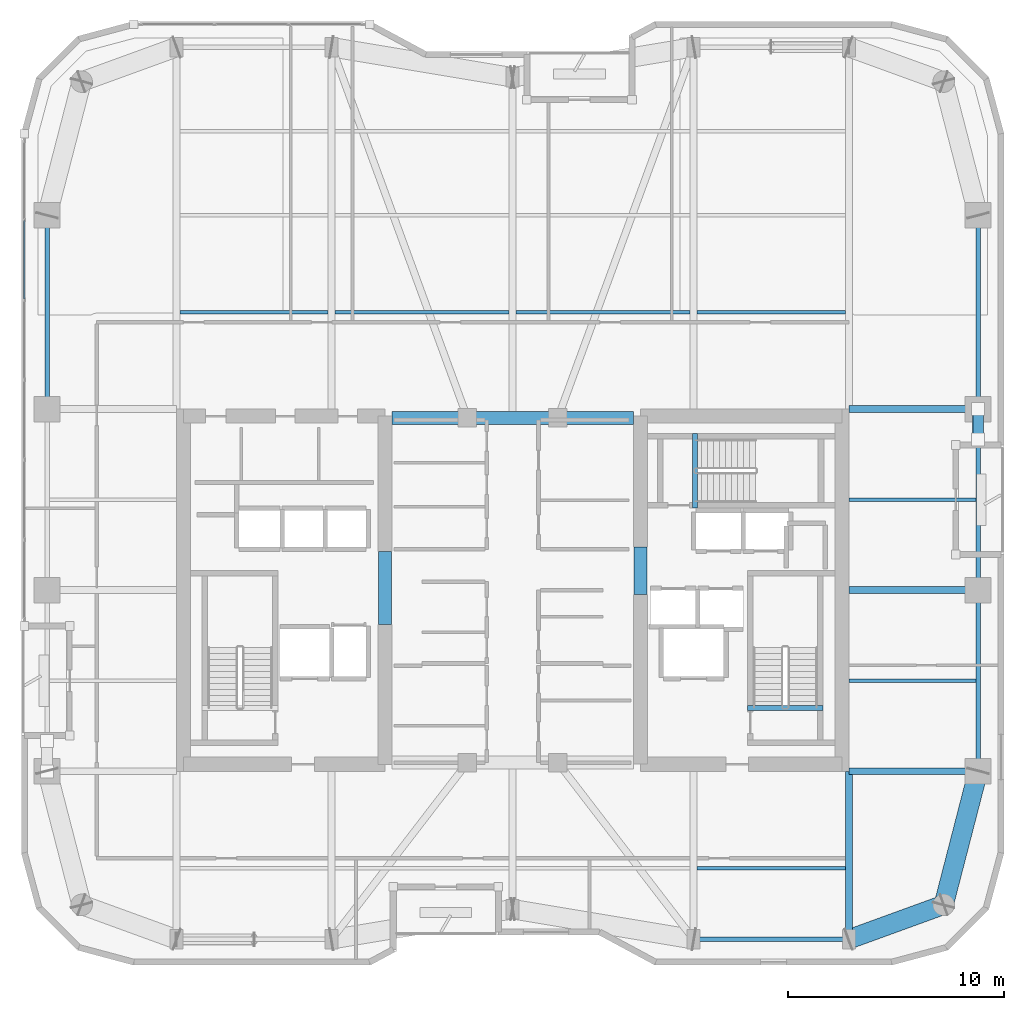
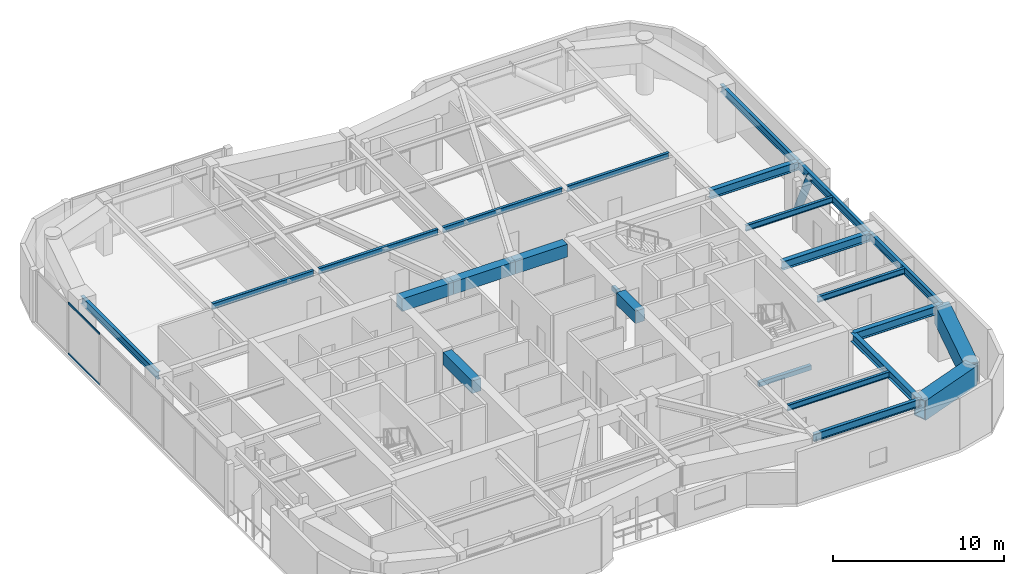
# One storey, part 5 of 21: 25 beams, 3 members, 1 element without a shape of its own.
"""IFC4 building model written with IfcOpenShell, lengths in metres."""

from ifc_helpers import new_model, si_unit, direction, frame, origin, origin_2d, place, context, subcontext, project, spatial, rectangle, hollow_rectangle, hollow_circle, i_section, extrude, material, layer, layer_set, material_profile, profile_set, type_object, element, aggregate, save


model = new_model("IFC4")

# Units and contexts
model_context = context("Model", 3, precision=1e-05, world=origin(), true_north=direction((0.0, 1.0)))
body_context = subcontext(model_context, "Body", "Model", "MODEL_VIEW")
ifc_project = project(units=[si_unit("LENGTHUNIT", "METRE"), si_unit("AREAUNIT", "SQUARE_METRE"), si_unit("VOLUMEUNIT", "CUBIC_METRE"), si_unit("PLANEANGLEUNIT", "RADIAN"), si_unit("MASSUNIT", "GRAM", prefix="KILO")], contexts=[model_context])

# Site, building, storey
site_placement = place(None, origin())
site = spatial("IfcSite", under=ifc_project, at=site_placement, CompositionType="ELEMENT")
building_placement = place(site_placement, origin())
building = spatial("IfcBuilding", under=site, at=building_placement, Name="Kiyonajd Concourse Tower", CompositionType="ELEMENT")
storey_placement = place(building_placement, frame((0.0, 0.0, 219.300048828125)))
storey = spatial("IfcBuildingStorey", under=building, at=storey_placement, Name="L55", CompositionType="ELEMENT", Elevation=219.300048828125)

# Beams
ifc_material_1 = material(Name="Concrete C60/75", Category="concrete")
ifc_material_profile_1 = material_profile(ifc_material_1, rectangle(XDim=0.60009765625, YDim=0.89990234375, at=origin_2d()), Name="RCBM-600x900")
ifc_profile_set_1 = profile_set([ifc_material_profile_1], Name="Concrete C60/75")
beam_type_1 = type_object("IfcBeamType", Name="BM-COUP-900", PredefinedType="LINTEL", material=ifc_profile_set_1)
beam_1_placement = place(storey_placement, frame((42.39990234375, 44.0, 3.22998046875), z_axis=(1.0, 0.0, 0.0), x_axis=(0.0, 1.0, 0.0)))
element("IfcBeam", 1, at=beam_1_placement, inside=storey, type_object=beam_type_1, Name="L55 Core Coupling Beam N1", PredefinedType="LINTEL", context=body_context, shape_type="SweptSolid", body=[
    extrude(rectangle(XDim=0.60009765625, YDim=0.89990234375, at=origin_2d()), origin(), (0.0, 0.0, 1.0), 3.5),
])
beam_2_placement = place(storey_placement, frame((45.89990234375, 44.0, 3.22998046875), z_axis=(1.0, 0.0, 0.0), x_axis=(0.0, 1.0, 0.0)))
element("IfcBeam", 2, at=beam_2_placement, inside=storey, type_object=beam_type_1, Name="L55 Core Coupling Beam N2", PredefinedType="LINTEL", context=body_context, shape_type="SweptSolid", body=[
    extrude(rectangle(XDim=0.60009765625, YDim=0.89990234375, at=origin_2d()), origin(), (0.0, 0.0, 1.0), 4.2001953125),
])
beam_3_placement = place(storey_placement, frame((50.10009765625, 44.0, 3.22998046875), z_axis=(1.0, 0.0, 0.0), x_axis=(0.0, 1.0, 0.0)))
element("IfcBeam", 3, at=beam_3_placement, inside=storey, type_object=beam_type_1, Name="L55 Core Coupling Beam N3", PredefinedType="LINTEL", context=body_context, shape_type="SweptSolid", body=[
    extrude(rectangle(XDim=0.60009765625, YDim=0.89990234375, at=origin_2d()), origin(), (0.0, 0.0, 1.0), 3.5),
])
beam_4_placement = place(storey_placement, frame((42.074951171875, 34.39990234375, 3.22998046875), z_axis=(0.0, 1.0, 0.0), x_axis=(-1.0, 0.0, 0.0)))
element("IfcBeam", 4, at=beam_4_placement, inside=storey, type_object=beam_type_1, Name="L55 West Core Throat Coupling Lintel", PredefinedType="LINTEL", context=body_context, shape_type="SweptSolid", body=[
    extrude(rectangle(XDim=0.60009765625, YDim=0.89990234375, at=origin_2d()), origin(), (0.0, 0.0, 1.0), 3.400146484375),
])
beam_5_placement = place(storey_placement, frame((53.925048828125, 35.800048828125, 3.22998046875), z_axis=(0.0, 1.0, 0.0), x_axis=(-1.0, 0.0, 0.0)))
element("IfcBeam", 5, at=beam_5_placement, inside=storey, type_object=beam_type_1, Name="L55 East Core Throat Coupling Lintel", PredefinedType="LINTEL", context=body_context, shape_type="SweptSolid", body=[
    extrude(rectangle(XDim=0.60009765625, YDim=0.89990234375, at=origin_2d()), origin(), (0.0, 0.0, 1.0), 2.199951171875),
])
ifc_material_2 = material(Name="Steel ASTM A992 Grade 50", Category="steel")
ifc_material_profile_2 = material_profile(ifc_material_2, i_section(OverallWidth=0.180908203125, OverallDepth=0.4169921875, WebThickness=0.010986328125, FlangeThickness=0.018310546875, at=origin_2d()), Name="W410X85")
ifc_profile_set_2 = profile_set([ifc_material_profile_2], Name="Steel ASTM A992 Grade 50")
beam_type_2 = type_object("IfcBeamType", Name="BM-JST-410", PredefinedType="JOIST", material=ifc_profile_set_2)
for number, where, z_axis, x_axis, name in (
    (6, (56.56201171875, 23.10009765625, 3.471435546875), (1.0, 0.0, 0.0), (0.0, 1.0, 0.0), "L55 Secondary Floor Joist"),
    (7, (32.56201171875, 48.89990234375, 3.471435546875), (1.0, 0.0, 0.0), (0.0, 1.0, 0.0), "L55 Secondary Floor Joist"),
):
    element("IfcBeam", number, at=place(storey_placement, frame(where, z_axis=z_axis, x_axis=x_axis)), inside=storey, type_object=beam_type_2, Name=name, PredefinedType="JOIST", context=body_context, shape_type="SweptSolid", body=[
        extrude(i_section(OverallWidth=0.180908203125, OverallDepth=0.4169921875, WebThickness=0.010986328125, FlangeThickness=0.018310546875, at=origin_2d()), origin(), (0.0, 0.0, 1.0), 6.8759765625),
    ])
for number, where, z_axis, x_axis, name in (
    (8, (39.761962890625, 48.89990234375, 3.471435546875), (1.0, 0.0, 0.0), (0.0, 1.0, 0.0), "L55 Secondary Floor Joist"),
    (9, (48.162109375, 48.89990234375, 3.471435546875), (1.0, 0.0, 0.0), (0.0, 1.0, 0.0), "L55 Secondary Floor Joist"),
):
    element("IfcBeam", number, at=place(storey_placement, frame(where, z_axis=z_axis, x_axis=x_axis)), inside=storey, type_object=beam_type_2, Name=name, PredefinedType="JOIST", context=body_context, shape_type="SweptSolid", body=[
        extrude(i_section(OverallWidth=0.180908203125, OverallDepth=0.4169921875, WebThickness=0.010986328125, FlangeThickness=0.018310546875, at=origin_2d()), origin(), (0.0, 0.0, 1.0), 8.075927734375),
    ])
beam_6_placement = place(storey_placement, frame((56.56201171875, 48.89990234375, 3.471435546875), z_axis=(1.0, 0.0, 0.0), x_axis=(0.0, 1.0, 0.0)))
element("IfcBeam", 10, at=beam_6_placement, inside=storey, type_object=beam_type_2, Name="L55 Secondary Floor Joist", PredefinedType="JOIST", context=body_context, shape_type="SweptSolid", body=[
    extrude(i_section(OverallWidth=0.180908203125, OverallDepth=0.4169921875, WebThickness=0.010986328125, FlangeThickness=0.018310546875, at=origin_2d()), origin(), (0.0, 0.0, 1.0), 6.8759765625),
])
for number, where, z_axis, x_axis, name in (
    (11, (63.60009765625, 31.800048828125, 3.471435546875), (1.0, 0.0, 0.0), (0.0, 1.0, 0.0), "L55 East Secondary Floor Joist"),
    (12, (63.60009765625, 40.199951171875, 3.471435546875), (1.0, 0.0, 0.0), (0.0, 1.0, 0.0), "L55 East Secondary Floor Joist"),
):
    element("IfcBeam", number, at=place(storey_placement, frame(where, z_axis=z_axis, x_axis=x_axis)), inside=storey, type_object=beam_type_2, Name=name, PredefinedType="JOIST", context=body_context, shape_type="SweptSolid", body=[
        extrude(i_section(OverallWidth=0.180908203125, OverallDepth=0.4169921875, WebThickness=0.010986328125, FlangeThickness=0.018310546875, at=origin_2d()), origin(), (0.0, 0.0, 1.0), 5.892822265625),
    ])
ifc_material_3 = material(Name="Concrete C50/60", Category="concrete")
ifc_material_profile_3 = material_profile(ifc_material_3, rectangle(XDim=0.239990234375, YDim=0.320068359375, at=origin_2d()), Name="RCBM-240x320")
ifc_profile_set_3 = profile_set([ifc_material_profile_3], Name="Concrete C50/60")
beam_type_3 = type_object("IfcBeamType", Name="BM-LNT-250", PredefinedType="LINTEL", material=ifc_profile_set_3)
beam_7_placement = place(storey_placement, frame((58.889892578125, 30.530029296875, -0.16015625), z_axis=(1.0, 0.0, 0.0), x_axis=(0.0, 1.0, 0.0)))
element("IfcBeam", 13, at=beam_7_placement, inside=storey, type_object=beam_type_3, Name="L55 Stair ST2 Threshold Support Beam", PredefinedType="LINTEL", context=body_context, shape_type="SweptSolid", body=[
    extrude(rectangle(XDim=0.239990234375, YDim=0.320068359375, at=origin_2d()), origin(), (0.0, 0.0, 1.0), 3.52001953125),
])
beam_8_placement = place(storey_placement, frame((56.4599609375, 39.820068359375, -0.16015625), z_axis=(0.0, 1.0, 0.0), x_axis=(-1.0, 0.0, 0.0)))
element("IfcBeam", 14, at=beam_8_placement, inside=storey, type_object=beam_type_3, Name="L55 Stair ST3 Threshold Support Beam", PredefinedType="LINTEL", context=body_context, shape_type="SweptSolid", body=[
    extrude(rectangle(XDim=0.239990234375, YDim=0.320068359375, at=origin_2d()), origin(), (0.0, 0.0, 1.0), 3.4599609375),
])
ifc_material_profile_4 = material_profile(ifc_material_2, i_section(OverallWidth=0.214111328125, OverallDepth=0.549072265625, WebThickness=0.0146484375, FlangeThickness=0.023681640625, at=origin_2d()), Name="W530X138")
ifc_profile_set_4 = profile_set([ifc_material_profile_4], Name="Steel ASTM A992 Grade 50")
beam_type_4 = type_object("IfcBeamType", Name="BM-SPAN-530A", PredefinedType="SPANDREL", material=ifc_profile_set_4)
beam_9_placement = place(storey_placement, frame((56.39990234375, 19.800048828125, 3.405517578125), z_axis=(1.0, 0.0, 0.0), x_axis=(0.0, 1.0, 0.0)))
element("IfcBeam", 15, at=beam_9_placement, inside=storey, type_object=beam_type_4, Name="L55 Perimeter Bundled Tube Spandrel", PredefinedType="SPANDREL", context=body_context, shape_type="SweptSolid", body=[
    extrude(i_section(OverallWidth=0.214111328125, OverallDepth=0.549072265625, WebThickness=0.0146484375, FlangeThickness=0.023681640625, at=origin_2d()), origin(), (0.0, 0.0, 1.0), 7.2001953125),
])
for number, where, z_axis, x_axis, name in (
    (16, (69.60009765625, 27.60009765625, 3.405517578125), (0.0, 1.0, 0.0), (-1.0, 0.0, 0.0), "L55 Perimeter Bundled Tube Spandrel"),
    (17, (69.60009765625, 36.0, 3.405517578125), (0.0, 1.0, 0.0), (-1.0, 0.0, 0.0), "L55 Perimeter Bundled Tube Spandrel"),
):
    element("IfcBeam", number, at=place(storey_placement, frame(where, z_axis=z_axis, x_axis=x_axis)), inside=storey, type_object=beam_type_4, Name=name, PredefinedType="SPANDREL", context=body_context, shape_type="SweptSolid", body=[
        extrude(i_section(OverallWidth=0.214111328125, OverallDepth=0.549072265625, WebThickness=0.0146484375, FlangeThickness=0.023681640625, at=origin_2d()), origin(), (0.0, 0.0, 1.0), 8.39990234375),
    ])
for number, where, z_axis, x_axis, name in (
    (18, (69.60009765625, 44.39990234375, 3.405517578125), (0.0, 1.0, 0.0), (-1.0, 0.0, 0.0), "L55 Perimeter Bundled Tube Spandrel"),
    (19, (26.39990234375, 53.39990234375, 3.405517578125), (0.0, -1.0, 0.0), (1.0, 0.0, 0.0), "L55 Perimeter Bundled Tube Spandrel"),
):
    element("IfcBeam", number, at=place(storey_placement, frame(where, z_axis=z_axis, x_axis=x_axis)), inside=storey, type_object=beam_type_4, Name=name, PredefinedType="SPANDREL", context=body_context, shape_type="SweptSolid", body=[
        extrude(i_section(OverallWidth=0.214111328125, OverallDepth=0.549072265625, WebThickness=0.0146484375, FlangeThickness=0.023681640625, at=origin_2d()), origin(), (0.0, 0.0, 1.0), 9.0),
    ])
ifc_material_profile_5 = material_profile(ifc_material_2, i_section(OverallWidth=0.323974609375, OverallDepth=0.611083984375, WebThickness=0.0126953125, FlangeThickness=0.01904296875, at=origin_2d()), Name="W610X155")
ifc_profile_set_5 = profile_set([ifc_material_profile_5], Name="Steel ASTM A992 Grade 50")
beam_type_5 = type_object("IfcBeamType", Name="BM-TWR-610B", PredefinedType="BEAM", material=ifc_profile_set_5)
beam_10_placement = place(storey_placement, frame((63.60009765625, 19.800048828125, 3.37451171875), z_axis=(0.0, 1.0, 0.0), x_axis=(-1.0, 0.0, 0.0)))
element("IfcBeam", 20, at=beam_10_placement, inside=storey, type_object=beam_type_5, Name="L55 South Lease Girder", PredefinedType="BEAM", context=body_context, shape_type="SweptSolid", body=[
    extrude(i_section(OverallWidth=0.323974609375, OverallDepth=0.611083984375, WebThickness=0.0126953125, FlangeThickness=0.01904296875, at=origin_2d()), origin(), (0.0, 0.0, 1.0), 7.800048828125),
])
for number, where, z_axis, x_axis, name in (
    (21, (63.60009765625, 27.60009765625, 3.37451171875), (1.0, 0.0, 0.0), (0.0, 1.0, 0.0), "L55 East Lease Girder"),
    (22, (63.60009765625, 36.0, 3.37451171875), (1.0, 0.0, 0.0), (0.0, 1.0, 0.0), "L55 East Lease Girder"),
    (23, (63.60009765625, 44.39990234375, 3.37451171875), (1.0, 0.0, 0.0), (0.0, 1.0, 0.0), "L55 East Lease Girder"),
):
    element("IfcBeam", number, at=place(storey_placement, frame(where, z_axis=z_axis, x_axis=x_axis)), inside=storey, type_object=beam_type_5, Name=name, PredefinedType="BEAM", context=body_context, shape_type="SweptSolid", body=[
        extrude(i_section(OverallWidth=0.323974609375, OverallDepth=0.611083984375, WebThickness=0.0126953125, FlangeThickness=0.01904296875, at=origin_2d()), origin(), (0.0, 0.0, 1.0), 6.0),
    ])
ifc_material_4 = material(Name="Steel ASTM A572 Grade 50", Category="steel")
ifc_material_profile_6 = material_profile(ifc_material_4, hollow_rectangle(XDim=0.89990234375, YDim=1.39990234375, WallThickness=0.070068359375, at=origin_2d()), Name="BOX-1400x900x70")
ifc_profile_set_6 = profile_set([ifc_material_profile_6], Name="Steel ASTM A572 Grade 50")
beam_type_6 = type_object("IfcBeamType", Name="BM-XFER-1400", PredefinedType="BEAM", material=ifc_profile_set_6)
beam_11_placement = place(storey_placement, frame((63.60009765625, 19.800048828125, 2.97998046875), z_axis=(0.939801036019, 0.341722127901, 0.0), x_axis=(-0.341722127901, 0.939801036019, 0.0)))
element("IfcBeam", 24, at=beam_11_placement, inside=storey, type_object=beam_type_6, Name="L55 Perimeter Bundled Tube Spandrel", PredefinedType="BEAM", context=body_context, shape_type="SweptSolid", body=[
    extrude(hollow_rectangle(XDim=0.89990234375, YDim=1.39990234375, WallThickness=0.070068359375, at=origin_2d()), origin(), (0.0, 0.0, 1.0), 4.681640625),
])
beam_12_placement = place(storey_placement, frame((68.0, 21.39990234375, 2.97998046875), z_axis=(0.249884937687, 0.968275538221, 0.0), x_axis=(-0.968275538221, 0.249884937687, 0.0)))
element("IfcBeam", 25, at=beam_12_placement, inside=storey, type_object=beam_type_6, Name="L55 Perimeter Bundled Tube Spandrel", PredefinedType="BEAM", context=body_context, shape_type="SweptSolid", body=[
    extrude(hollow_rectangle(XDim=0.89990234375, YDim=1.39990234375, WallThickness=0.070068359375, at=origin_2d()), origin(), (0.0, 0.0, 1.0), 6.4033203125),
])

# Curtain wall, members
ifc_material_5 = material(Name="Thermally Broken Anodised Aluminium", Category="aluminium")
ifc_layer = layer(ifc_material_5, 0.179931640625)
ifc_layer_set = layer_set([ifc_layer], Name="Thermally Broken Anodised Aluminium")
curtain_wall_type = type_object("IfcCurtainWallType", Name="CW-SYS-04", PredefinedType="NOTDEFINED", material=ifc_layer_set)
curtain_wall_placement = place(storey_placement, origin())
curtain_wall = element("IfcCurtainWall", 26, at=curtain_wall_placement, inside=storey, type_object=curtain_wall_type, Name="L55 Unitised Curtain Wall CW4", PredefinedType="NOTDEFINED")
ifc_material_profile_7 = material_profile(ifc_material_5, hollow_rectangle(XDim=0.06494140625, YDim=0.139892578125, WallThickness=0.00390625, at=origin_2d()), Name="TRAN-65x140")
ifc_profile_set_7 = profile_set([ifc_material_profile_7], Name="Thermally Broken Anodised Aluminium")
member_type_1 = type_object("IfcMemberType", Name="MB-CW-TRAN1", PredefinedType="USERDEFINED", material=ifc_profile_set_7)
member_1_placement = place(storey_placement, frame((25.340087890625, 49.503662109375, 0.032470703125), z_axis=(0.0, 1.0, 0.0), x_axis=(-1.0, 0.0, 0.0)))
member_1 = element("IfcMember", 27, at=member_1_placement, type_object=member_type_1, Name="CW4 transom 5.1", ObjectType="TRANSOM", PredefinedType="USERDEFINED", context=body_context, shape_type="SweptSolid", body=[
    extrude(hollow_rectangle(XDim=0.06494140625, YDim=0.139892578125, WallThickness=0.00390625, at=origin_2d()), origin(), (0.0, 0.0, 1.0), 3.645263671875),
])
member_2_placement = place(storey_placement, frame((25.340087890625, 49.503662109375, 3.6474609375), z_axis=(0.0, 1.0, 0.0), x_axis=(-1.0, 0.0, 0.0)))
member_2 = element("IfcMember", 28, at=member_2_placement, type_object=member_type_1, Name="CW4 transom 5.2", ObjectType="TRANSOM", PredefinedType="USERDEFINED", context=body_context, shape_type="SweptSolid", body=[
    extrude(hollow_rectangle(XDim=0.06494140625, YDim=0.139892578125, WallThickness=0.00390625, at=origin_2d()), origin(), (0.0, 0.0, 1.0), 3.645263671875),
])
aggregate(curtain_wall, [member_1, member_2])

# Member
ifc_material_6 = material(Name="Steel ASTM A500 Grade C", Category="steel")
ifc_material_profile_8 = material_profile(ifc_material_6, hollow_circle(Radius=0.25390625, WallThickness=0.02197265625, at=origin_2d()), Name="CHS-508x22")
ifc_profile_set_8 = profile_set([ifc_material_profile_8], Name="Steel ASTM A500 Grade C")
member_type_2 = type_object("IfcMemberType", Name="MB-PB-MID", PredefinedType="BRACE", material=ifc_profile_set_8)
member_3_placement = place(storey_placement, frame((69.60009765625, 44.39990234375, 0.300048828125), z_axis=(0.0, -0.419438517439, 0.907783746323), x_axis=(1.0, 0.0, 0.0)))
element("IfcMember", 29, at=member_3_placement, inside=storey, type_object=member_type_2, Name="L55 Upper Zone Hollow Tube Brace PBE", PredefinedType="BRACE", context=body_context, shape_type="SweptSolid", body=[
    extrude(hollow_circle(Radius=0.25390625, WallThickness=0.02197265625, at=origin_2d()), origin(), (0.0, 0.0, 1.0), 3.337646484375),
])

save(model, "model.ifc")
